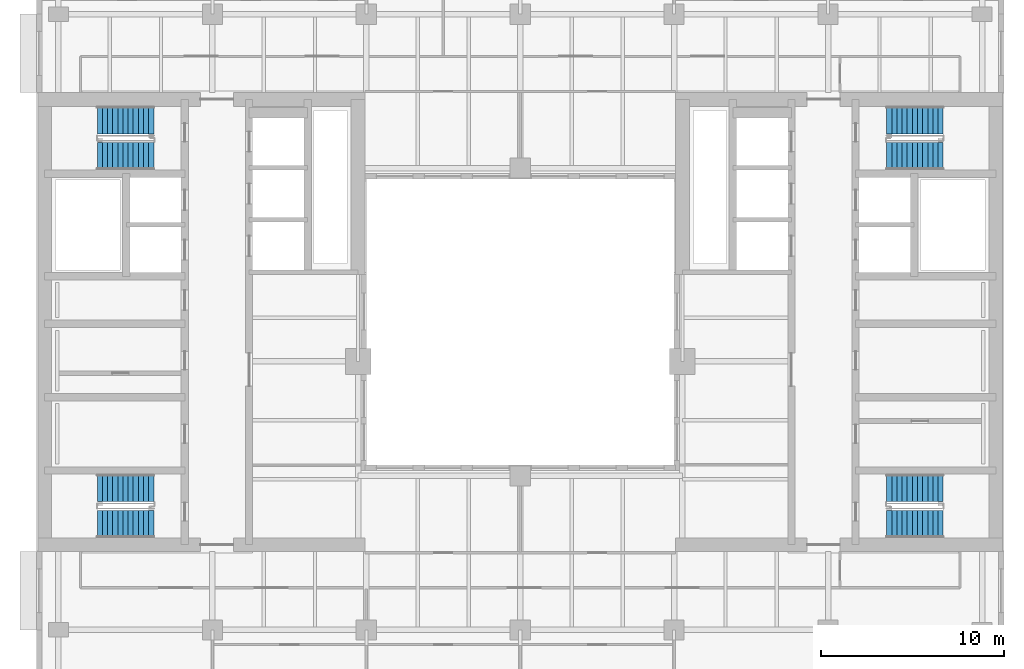
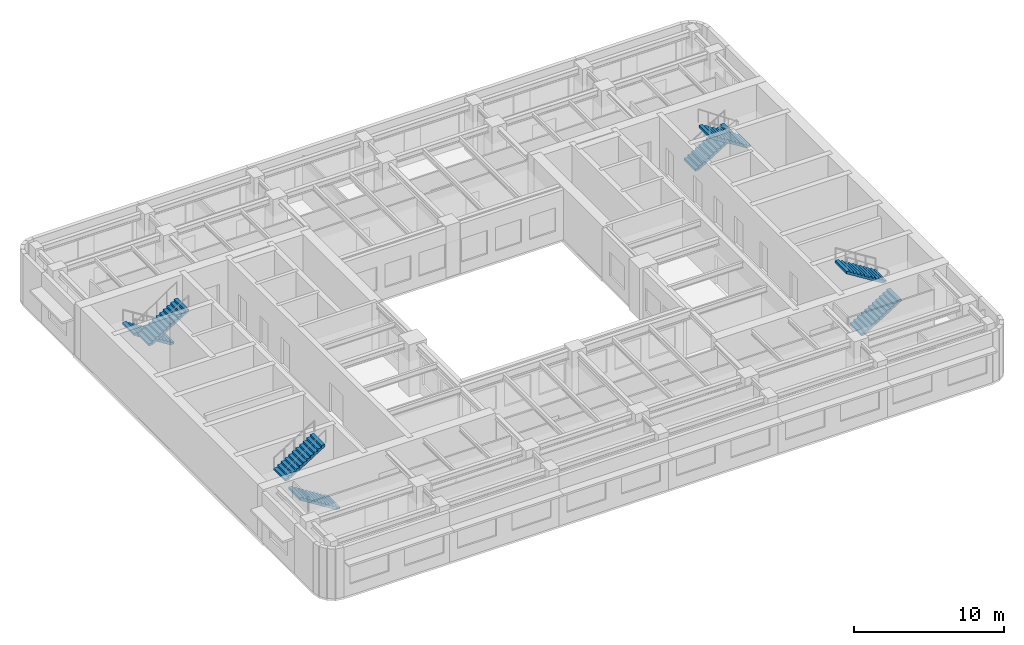
# One storey, part 8 of 11: 8 stair flights, 4 elements without a shape of their own.
"""IFC4 building model written with IfcOpenShell, lengths in metres."""

from ifc_helpers import new_model, si_unit, direction, frame, origin, place, context, subcontext, project, spatial, polyline, outline, extrude, material, type_object, element, aggregate, save


model = new_model("IFC4")

# Units and contexts
model_context = context("Model", 3, precision=1e-05, world=origin(), true_north=direction((0.0, 1.0)))
body_context = subcontext(model_context, "Body", "Model", "MODEL_VIEW")
ifc_project = project(units=[si_unit("LENGTHUNIT", "METRE"), si_unit("AREAUNIT", "SQUARE_METRE"), si_unit("VOLUMEUNIT", "CUBIC_METRE"), si_unit("PLANEANGLEUNIT", "RADIAN"), si_unit("MASSUNIT", "GRAM", prefix="KILO")], contexts=[model_context])

# Site, building, storey
site_placement = place(None, origin())
site = spatial("IfcSite", under=ifc_project, at=site_placement, CompositionType="ELEMENT")
building_placement = place(site_placement, origin())
building = spatial("IfcBuilding", under=site, at=building_placement, Name="Claustro Exchange Tower", CompositionType="ELEMENT")
storey_placement = place(building_placement, frame((0.0, 0.0, 215.39990234375)))
storey = spatial("IfcBuildingStorey", under=building, at=storey_placement, Name="L49", CompositionType="ELEMENT", Elevation=215.39990234375)

# Stair, stair flights
ifc_material_1 = material(Name="Concrete HA-30 (C30/37), precast", Category="concrete")
stair_type = type_object("IfcStairType", Name="ST1 half-turn stair, 24 risers of 175", PredefinedType="HALF_TURN_STAIR", material=ifc_material_1)
stair_1_placement = place(storey_placement, origin())
stair_1 = element("IfcStair", 1, at=stair_1_placement, inside=storey, type_object=stair_type, Name="Stair STWA L49", PredefinedType="HALF_TURN_STAIR")
ifc_material_2 = material(Name="Concrete HA-30 (C30/37), precast", Category="concrete")
stair_flight_type = type_object("IfcStairFlightType", Name="SF12A straight flight, 12 risers of 175, 1500 wide", PredefinedType="STRAIGHT", material=ifc_material_2)
stair_flight_1_placement = place(storey_placement, frame((5.199951171875, 14.175048828125, 0.0), z_axis=(0.0, 0.0, 1.0), x_axis=(-1.0, 0.0, 0.0)))
stair_flight_1 = element("IfcStairFlight", 2, at=stair_flight_1_placement, type_object=stair_flight_type, Name="STWA flight 1", NumberOfRisers=12, NumberOfTreads=11, PredefinedType="STRAIGHT", RiserHeight=0.175, TreadLength=0.28, context=body_context, shape_type="SweptSolid", body=[
    extrude(outline(polyline([(0.0, 0.0), (0.0, 0.175048828125), (0.280029296875, 0.175048828125), (0.280029296875, 0.35009765625), (0.56005859375, 0.35009765625), (0.56005859375, 0.52490234375), (0.840087890625, 0.52490234375), (0.840087890625, 0.699951171875), (1.1201171875, 0.699951171875), (1.1201171875, 0.875), (1.39990234375, 0.875), (1.39990234375, 1.050048828125), (1.679931640625, 1.050048828125), (1.679931640625, 1.22509765625), (1.9599609375, 1.22509765625), (1.9599609375, 1.39990234375), (2.239990234375, 1.39990234375), (2.239990234375, 1.574951171875), (2.52001953125, 1.574951171875), (2.52001953125, 1.75), (2.800048828125, 1.75), (2.800048828125, 1.925048828125), (3.080078125, 1.925048828125), (3.080078125, 2.10009765625), (3.080078125, 1.748291015625), (0.28271484375, 0.0), (0.0, 0.0)])), frame((0.0, 0.75, 0.0), z_axis=(0.0, -1.0, 0.0), x_axis=(1.0, 0.0, 0.0)), (0.0, 0.0, 1.0), 1.5),
])
stair_flight_2_placement = place(storey_placement, frame((2.1201171875, 16.14990234375, 2.10009765625), z_axis=(0.0, 0.0, 1.0), x_axis=(1.0, 0.0, 0.0)))
stair_flight_2 = element("IfcStairFlight", 3, at=stair_flight_2_placement, type_object=stair_flight_type, Name="STWA flight 2", NumberOfRisers=12, NumberOfTreads=11, PredefinedType="STRAIGHT", RiserHeight=0.175, TreadLength=0.28, context=body_context, shape_type="SweptSolid", body=[
    extrude(outline(polyline([(0.0, 0.0), (0.0, 0.175048828125), (0.280029296875, 0.175048828125), (0.280029296875, 0.35009765625), (0.56005859375, 0.35009765625), (0.56005859375, 0.52490234375), (0.840087890625, 0.52490234375), (0.840087890625, 0.699951171875), (1.1201171875, 0.699951171875), (1.1201171875, 0.875), (1.39990234375, 0.875), (1.39990234375, 1.050048828125), (1.679931640625, 1.050048828125), (1.679931640625, 1.22509765625), (1.9599609375, 1.22509765625), (1.9599609375, 1.39990234375), (2.239990234375, 1.39990234375), (2.239990234375, 1.574951171875), (2.52001953125, 1.574951171875), (2.52001953125, 1.75), (2.800048828125, 1.75), (2.800048828125, 1.925048828125), (3.080078125, 1.925048828125), (3.080078125, 2.10009765625), (3.080078125, 1.748291015625), (0.28271484375, 0.0), (0.0, 0.0)])), frame((0.0, 0.75, 0.0), z_axis=(0.0, -1.0, 0.0), x_axis=(1.0, 0.0, 0.0)), (0.0, 0.0, 1.0), 1.5),
])
aggregate(stair_1, [stair_flight_1, stair_flight_2])

stair_2_placement = place(storey_placement, origin())
stair_2 = element("IfcStair", 4, at=stair_2_placement, inside=storey, type_object=stair_type, Name="Stair STWB L49", PredefinedType="HALF_TURN_STAIR")
stair_flight_3_placement = place(storey_placement, frame((5.199951171875, 36.22509765625, 0.0), z_axis=(0.0, 0.0, 1.0), x_axis=(-1.0, 0.0, 0.0)))
stair_flight_3 = element("IfcStairFlight", 5, at=stair_flight_3_placement, type_object=stair_flight_type, Name="STWB flight 1", NumberOfRisers=12, NumberOfTreads=11, PredefinedType="STRAIGHT", RiserHeight=0.175, TreadLength=0.28, context=body_context, shape_type="SweptSolid", body=[
    extrude(outline(polyline([(0.0, 0.0), (0.0, 0.175048828125), (0.280029296875, 0.175048828125), (0.280029296875, 0.35009765625), (0.56005859375, 0.35009765625), (0.56005859375, 0.52490234375), (0.840087890625, 0.52490234375), (0.840087890625, 0.699951171875), (1.1201171875, 0.699951171875), (1.1201171875, 0.875), (1.39990234375, 0.875), (1.39990234375, 1.050048828125), (1.679931640625, 1.050048828125), (1.679931640625, 1.22509765625), (1.9599609375, 1.22509765625), (1.9599609375, 1.39990234375), (2.239990234375, 1.39990234375), (2.239990234375, 1.574951171875), (2.52001953125, 1.574951171875), (2.52001953125, 1.75), (2.800048828125, 1.75), (2.800048828125, 1.925048828125), (3.080078125, 1.925048828125), (3.080078125, 2.10009765625), (3.080078125, 1.748291015625), (0.28271484375, 0.0), (0.0, 0.0)])), frame((0.0, 0.75, 0.0), z_axis=(0.0, -1.0, 0.0), x_axis=(1.0, 0.0, 0.0)), (0.0, 0.0, 1.0), 1.5),
])
stair_flight_4_placement = place(storey_placement, frame((2.1201171875, 34.25, 2.10009765625), z_axis=(0.0, 0.0, 1.0), x_axis=(1.0, 0.0, 0.0)))
stair_flight_4 = element("IfcStairFlight", 6, at=stair_flight_4_placement, type_object=stair_flight_type, Name="STWB flight 2", NumberOfRisers=12, NumberOfTreads=11, PredefinedType="STRAIGHT", RiserHeight=0.175, TreadLength=0.28, context=body_context, shape_type="SweptSolid", body=[
    extrude(outline(polyline([(0.0, 0.0), (0.0, 0.175048828125), (0.280029296875, 0.175048828125), (0.280029296875, 0.35009765625), (0.56005859375, 0.35009765625), (0.56005859375, 0.52490234375), (0.840087890625, 0.52490234375), (0.840087890625, 0.699951171875), (1.1201171875, 0.699951171875), (1.1201171875, 0.875), (1.39990234375, 0.875), (1.39990234375, 1.050048828125), (1.679931640625, 1.050048828125), (1.679931640625, 1.22509765625), (1.9599609375, 1.22509765625), (1.9599609375, 1.39990234375), (2.239990234375, 1.39990234375), (2.239990234375, 1.574951171875), (2.52001953125, 1.574951171875), (2.52001953125, 1.75), (2.800048828125, 1.75), (2.800048828125, 1.925048828125), (3.080078125, 1.925048828125), (3.080078125, 2.10009765625), (3.080078125, 1.748291015625), (0.28271484375, 0.0), (0.0, 0.0)])), frame((0.0, 0.75, 0.0), z_axis=(0.0, -1.0, 0.0), x_axis=(1.0, 0.0, 0.0)), (0.0, 0.0, 1.0), 1.5),
])
aggregate(stair_2, [stair_flight_3, stair_flight_4])

stair_3_placement = place(storey_placement, origin())
stair_3 = element("IfcStair", 7, at=stair_3_placement, inside=storey, type_object=stair_type, Name="Stair STEA L49", PredefinedType="HALF_TURN_STAIR")
stair_flight_5_placement = place(storey_placement, frame((45.199951171875, 14.175048828125, 0.0), z_axis=(0.0, 0.0, 1.0), x_axis=(1.0, 0.0, 0.0)))
stair_flight_5 = element("IfcStairFlight", 8, at=stair_flight_5_placement, type_object=stair_flight_type, Name="STEA flight 1", NumberOfRisers=12, NumberOfTreads=11, PredefinedType="STRAIGHT", RiserHeight=0.175, TreadLength=0.28, context=body_context, shape_type="SweptSolid", body=[
    extrude(outline(polyline([(0.0, 0.0), (0.0, 0.175048828125), (0.280029296875, 0.175048828125), (0.280029296875, 0.35009765625), (0.56005859375, 0.35009765625), (0.56005859375, 0.52490234375), (0.840087890625, 0.52490234375), (0.840087890625, 0.699951171875), (1.1201171875, 0.699951171875), (1.1201171875, 0.875), (1.39990234375, 0.875), (1.39990234375, 1.050048828125), (1.679931640625, 1.050048828125), (1.679931640625, 1.22509765625), (1.9599609375, 1.22509765625), (1.9599609375, 1.39990234375), (2.239990234375, 1.39990234375), (2.239990234375, 1.574951171875), (2.52001953125, 1.574951171875), (2.52001953125, 1.75), (2.800048828125, 1.75), (2.800048828125, 1.925048828125), (3.080078125, 1.925048828125), (3.080078125, 2.10009765625), (3.080078125, 1.748291015625), (0.28271484375, 0.0), (0.0, 0.0)])), frame((0.0, 0.75, 0.0), z_axis=(0.0, -1.0, 0.0), x_axis=(1.0, 0.0, 0.0)), (0.0, 0.0, 1.0), 1.5),
])
stair_flight_6_placement = place(storey_placement, frame((48.280029296875, 16.14990234375, 2.10009765625), z_axis=(0.0, 0.0, 1.0), x_axis=(-1.0, 0.0, 0.0)))
stair_flight_6 = element("IfcStairFlight", 9, at=stair_flight_6_placement, type_object=stair_flight_type, Name="STEA flight 2", NumberOfRisers=12, NumberOfTreads=11, PredefinedType="STRAIGHT", RiserHeight=0.175, TreadLength=0.28, context=body_context, shape_type="SweptSolid", body=[
    extrude(outline(polyline([(0.0, 0.0), (0.0, 0.175048828125), (0.280029296875, 0.175048828125), (0.280029296875, 0.35009765625), (0.56005859375, 0.35009765625), (0.56005859375, 0.52490234375), (0.840087890625, 0.52490234375), (0.840087890625, 0.699951171875), (1.1201171875, 0.699951171875), (1.1201171875, 0.875), (1.39990234375, 0.875), (1.39990234375, 1.050048828125), (1.679931640625, 1.050048828125), (1.679931640625, 1.22509765625), (1.9599609375, 1.22509765625), (1.9599609375, 1.39990234375), (2.239990234375, 1.39990234375), (2.239990234375, 1.574951171875), (2.52001953125, 1.574951171875), (2.52001953125, 1.75), (2.800048828125, 1.75), (2.800048828125, 1.925048828125), (3.080078125, 1.925048828125), (3.080078125, 2.10009765625), (3.080078125, 1.748291015625), (0.28271484375, 0.0), (0.0, 0.0)])), frame((0.0, 0.75, 0.0), z_axis=(0.0, -1.0, 0.0), x_axis=(1.0, 0.0, 0.0)), (0.0, 0.0, 1.0), 1.5),
])
aggregate(stair_3, [stair_flight_5, stair_flight_6])

stair_4_placement = place(storey_placement, origin())
stair_4 = element("IfcStair", 10, at=stair_4_placement, inside=storey, type_object=stair_type, Name="Stair STEB L49", PredefinedType="HALF_TURN_STAIR")
stair_flight_7_placement = place(storey_placement, frame((45.199951171875, 36.22509765625, 0.0), z_axis=(0.0, 0.0, 1.0), x_axis=(1.0, 0.0, 0.0)))
stair_flight_7 = element("IfcStairFlight", 11, at=stair_flight_7_placement, type_object=stair_flight_type, Name="STEB flight 1", NumberOfRisers=12, NumberOfTreads=11, PredefinedType="STRAIGHT", RiserHeight=0.175, TreadLength=0.28, context=body_context, shape_type="SweptSolid", body=[
    extrude(outline(polyline([(0.0, 0.0), (0.0, 0.175048828125), (0.280029296875, 0.175048828125), (0.280029296875, 0.35009765625), (0.56005859375, 0.35009765625), (0.56005859375, 0.52490234375), (0.840087890625, 0.52490234375), (0.840087890625, 0.699951171875), (1.1201171875, 0.699951171875), (1.1201171875, 0.875), (1.39990234375, 0.875), (1.39990234375, 1.050048828125), (1.679931640625, 1.050048828125), (1.679931640625, 1.22509765625), (1.9599609375, 1.22509765625), (1.9599609375, 1.39990234375), (2.239990234375, 1.39990234375), (2.239990234375, 1.574951171875), (2.52001953125, 1.574951171875), (2.52001953125, 1.75), (2.800048828125, 1.75), (2.800048828125, 1.925048828125), (3.080078125, 1.925048828125), (3.080078125, 2.10009765625), (3.080078125, 1.748291015625), (0.28271484375, 0.0), (0.0, 0.0)])), frame((0.0, 0.75, 0.0), z_axis=(0.0, -1.0, 0.0), x_axis=(1.0, 0.0, 0.0)), (0.0, 0.0, 1.0), 1.5),
])
stair_flight_8_placement = place(storey_placement, frame((48.280029296875, 34.25, 2.10009765625), z_axis=(0.0, 0.0, 1.0), x_axis=(-1.0, 0.0, 0.0)))
stair_flight_8 = element("IfcStairFlight", 12, at=stair_flight_8_placement, type_object=stair_flight_type, Name="STEB flight 2", NumberOfRisers=12, NumberOfTreads=11, PredefinedType="STRAIGHT", RiserHeight=0.175, TreadLength=0.28, context=body_context, shape_type="SweptSolid", body=[
    extrude(outline(polyline([(0.0, 0.0), (0.0, 0.175048828125), (0.280029296875, 0.175048828125), (0.280029296875, 0.35009765625), (0.56005859375, 0.35009765625), (0.56005859375, 0.52490234375), (0.840087890625, 0.52490234375), (0.840087890625, 0.699951171875), (1.1201171875, 0.699951171875), (1.1201171875, 0.875), (1.39990234375, 0.875), (1.39990234375, 1.050048828125), (1.679931640625, 1.050048828125), (1.679931640625, 1.22509765625), (1.9599609375, 1.22509765625), (1.9599609375, 1.39990234375), (2.239990234375, 1.39990234375), (2.239990234375, 1.574951171875), (2.52001953125, 1.574951171875), (2.52001953125, 1.75), (2.800048828125, 1.75), (2.800048828125, 1.925048828125), (3.080078125, 1.925048828125), (3.080078125, 2.10009765625), (3.080078125, 1.748291015625), (0.28271484375, 0.0), (0.0, 0.0)])), frame((0.0, 0.75, 0.0), z_axis=(0.0, -1.0, 0.0), x_axis=(1.0, 0.0, 0.0)), (0.0, 0.0, 1.0), 1.5),
])
aggregate(stair_4, [stair_flight_7, stair_flight_8])

save(model, "model.ifc")
